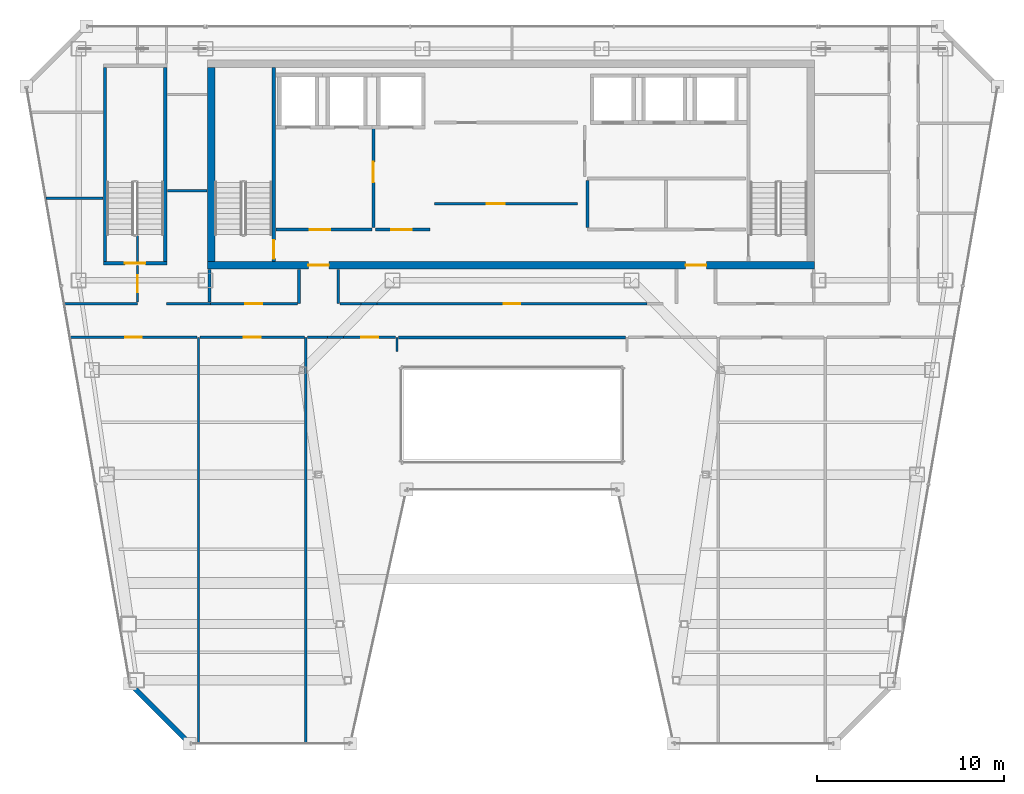
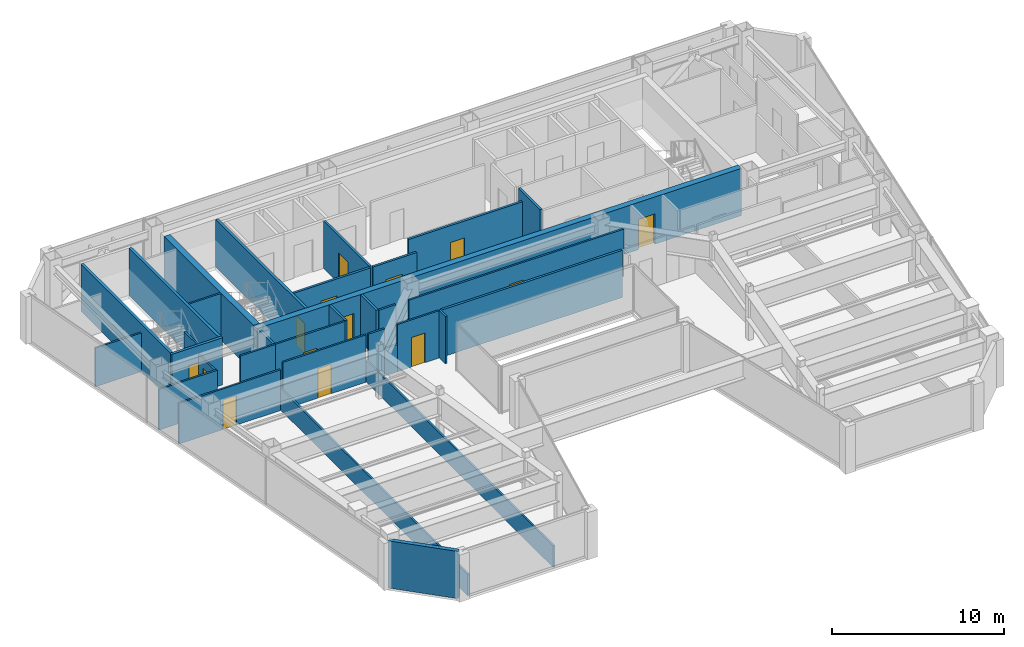
# One storey, part 28 of 35: 34 walls, 14 doors, 14 openings.
"""IFC4 building model written with IfcOpenShell, lengths in metres."""

from ifc_helpers import new_model, si_unit, direction, frame, frame_2d, origin, place, context, subcontext, project, spatial, rectangle, extrude, material, layer, layer_set, type_object, element, fill, save


model = new_model("IFC4")

# Units and contexts
model_context = context("Model", 3, precision=1e-05, world=origin(), true_north=direction((0.0, 1.0)))
body_context = subcontext(model_context, "Body", "Model", "MODEL_VIEW")
ifc_project = project(units=[si_unit("LENGTHUNIT", "METRE"), si_unit("AREAUNIT", "SQUARE_METRE"), si_unit("VOLUMEUNIT", "CUBIC_METRE"), si_unit("PLANEANGLEUNIT", "RADIAN"), si_unit("MASSUNIT", "GRAM", prefix="KILO")], contexts=[model_context])

# Site, building, storey
site_placement = place(None, origin())
site = spatial("IfcSite", under=ifc_project, at=site_placement, CompositionType="ELEMENT")
building_placement = place(site_placement, origin())
building = spatial("IfcBuilding", under=site, at=building_placement, Name="Saevonmaru Cultural Tower", CompositionType="ELEMENT")
storey_placement = place(building_placement, frame((0.0, 0.0, 249.60009765625)))
storey = spatial("IfcBuildingStorey", under=building, at=storey_placement, Name="L58", CompositionType="ELEMENT", Elevation=249.60009765625)

# Wall, openings, doors
ifc_material_1 = material(Name="Concrete C50/60", Category="concrete")
ifc_layer_1 = layer(ifc_material_1, 0.39990234375, Name="Concrete C50/60")
ifc_layer_set_1 = layer_set([ifc_layer_1], Name="Concrete C50/60")
wall_type_1 = type_object("IfcWallType", Name="WL-CORE-400", PredefinedType="SHEAR", material=ifc_layer_set_1)
wall_1_placement = place(storey_placement, frame((13.699951171875, 43.199951171875, 0.0), z_axis=(0.0, 0.0, 1.0), x_axis=(1.0, 0.0, 0.0)))
wall_1 = element("IfcWall", 1, at=wall_1_placement, inside=storey, type_object=wall_type_1, Name="L58 Tower RC core shear wall S", PredefinedType="SHEAR", context=body_context, shape_type="SweptSolid", body=[
    extrude(rectangle(XDim=32.5, YDim=0.39990234375, at=frame_2d((16.25, 0.0))), origin(), (0.0, 0.0, 1.0), 3.349853515625),
])
opening_1_placement = place(wall_1_placement, frame((5.39990234375, 0.0, 0.0)))
opening_1 = element("IfcOpeningElement", 2, at=opening_1_placement, cuts=wall_1, Name="Opening FD-2", PredefinedType="OPENING", context=body_context, shape_type="SweptSolid", body=[
    extrude(rectangle(XDim=1.10009765625, YDim=2.14990234375, at=frame_2d((0.550048828125, 1.074951171875))), frame((0.0, 0.2099609375, 0.0), z_axis=(0.0, -1.0, 0.0), x_axis=(1.0, 0.0, 0.0)), (0.0, 0.0, 1.0), 0.419921875),
])
opening_2_placement = place(wall_1_placement, frame((25.60009765625, 0.0, 0.0)))
opening_2 = element("IfcOpeningElement", 3, at=opening_2_placement, cuts=wall_1, Name="Opening FD-2", PredefinedType="OPENING", context=body_context, shape_type="SweptSolid", body=[
    extrude(rectangle(XDim=1.10009765625, YDim=2.14990234375, at=frame_2d((0.550048828125, 1.074951171875))), frame((0.0, 0.2099609375, 0.0), z_axis=(0.0, -1.0, 0.0), x_axis=(1.0, 0.0, 0.0)), (0.0, 0.0, 1.0), 0.419921875),
])
ifc_material_2 = material(Name="Satin Bronze Anodised Aluminium", Category="aluminium")
door_type_1 = type_object("IfcDoorType", Name="DR-FD60-1100", OperationType="SINGLE_SWING_LEFT", PredefinedType="DOOR", material=ifc_material_2)
door_1_placement = place(opening_1_placement, origin())
door_1 = element("IfcDoor", 4, at=door_1_placement, inside=storey, type_object=door_type_1, Name="L58 Core West Lobby Fire Door", OperationType="SINGLE_SWING_LEFT", OverallHeight=2.14990234375, OverallWidth=1.10009765625, PredefinedType="DOOR", context=body_context, shape_type="SweptSolid", body=[
    extrude(rectangle(XDim=1.10009765625, YDim=2.14990234375, at=frame_2d((0.550048828125, 1.074951171875))), frame((0.0, 0.02490234375, 0.0), z_axis=(0.0, -1.0, 0.0), x_axis=(1.0, 0.0, 0.0)), (0.0, 0.0, 1.0), 0.050048828125),
])
fill(opening_1, door_1)
door_2_placement = place(opening_2_placement, origin())
door_2 = element("IfcDoor", 5, at=door_2_placement, inside=storey, type_object=door_type_1, Name="L58 Core East Lobby Fire Door", OperationType="SINGLE_SWING_LEFT", OverallHeight=2.14990234375, OverallWidth=1.10009765625, PredefinedType="DOOR", context=body_context, shape_type="SweptSolid", body=[
    extrude(rectangle(XDim=1.10009765625, YDim=2.14990234375, at=frame_2d((0.550048828125, 1.074951171875))), frame((0.0, 0.02490234375, 0.0), z_axis=(0.0, -1.0, 0.0), x_axis=(1.0, 0.0, 0.0)), (0.0, 0.0, 1.0), 0.050048828125),
])
fill(opening_2, door_2)

# Wall
wall_2_placement = place(storey_placement, frame((13.89990234375, 43.39990234375, 0.0), z_axis=(0.0, 0.0, 1.0), x_axis=(0.0, 1.0, 0.0)))
element("IfcWall", 6, at=wall_2_placement, inside=storey, type_object=wall_type_1, Name="L58 Tower RC core shear wall W", PredefinedType="SHEAR", context=body_context, shape_type="SweptSolid", body=[
    extrude(rectangle(XDim=10.400146484375, YDim=0.39990234375, at=frame_2d((5.2001953125, 0.0))), origin(), (0.0, 0.0, 1.0), 3.349853515625),
])

# Wall, opening, door
ifc_material_3 = material(Name="Gypsum Fireboard Partition", Category="gypsum")
ifc_layer_2 = layer(ifc_material_3, 0.14990234375, Name="Gypsum Fireboard Partition")
ifc_layer_set_2 = layer_set([ifc_layer_2], Name="Gypsum Fireboard Partition")
wall_type_2 = type_object("IfcWallType", Name="WL-CORE-PART-150", PredefinedType="PARTITIONING", material=ifc_layer_set_2)
wall_3_placement = place(storey_placement, frame((17.360107421875, 45.1201171875, 0.0), z_axis=(0.0, 0.0, 1.0), x_axis=(1.0, 0.0, 0.0)))
wall_3 = element("IfcWall", 7, at=wall_3_placement, inside=storey, type_object=wall_type_2, Name="L58 Firefighting Lift Lobby South Wall", PredefinedType="PARTITIONING", context=body_context, shape_type="SweptSolid", body=[
    extrude(rectangle(XDim=5.139892578125, YDim=0.14990234375, at=frame_2d((2.56982421875, 0.0))), origin(), (0.0, 0.0, 1.0), 3.349853515625),
])
opening_3_placement = place(wall_3_placement, frame((1.800048828125, 0.0, 0.0)))
opening_3 = element("IfcOpeningElement", 8, at=opening_3_placement, cuts=wall_3, Name="Opening FD-2", PredefinedType="OPENING", context=body_context, shape_type="SweptSolid", body=[
    extrude(rectangle(XDim=1.10009765625, YDim=2.14990234375, at=frame_2d((0.550048828125, 1.074951171875))), frame((0.0, 0.0849609375, 0.0), z_axis=(0.0, -1.0, 0.0), x_axis=(1.0, 0.0, 0.0)), (0.0, 0.0, 1.0), 0.169921875),
])
door_3_placement = place(opening_3_placement, origin())
door_3 = element("IfcDoor", 9, at=door_3_placement, inside=storey, type_object=door_type_1, Name="L58 Firefighting Lift Lobby South Door", OperationType="SINGLE_SWING_LEFT", OverallHeight=2.14990234375, OverallWidth=1.10009765625, PredefinedType="DOOR", context=body_context, shape_type="SweptSolid", body=[
    extrude(rectangle(XDim=1.10009765625, YDim=2.14990234375, at=frame_2d((0.550048828125, 1.074951171875))), frame((0.0, 0.02490234375, 0.0), z_axis=(0.0, -1.0, 0.0), x_axis=(1.0, 0.0, 0.0)), (0.0, 0.0, 1.0), 0.050048828125),
])
fill(opening_3, door_3)

wall_4_placement = place(storey_placement, frame((22.580078125, 50.550048828125, 0.0), z_axis=(0.0, 0.0, 1.0), x_axis=(0.0, -1.0, 0.0)))
wall_4 = element("IfcWall", 10, at=wall_4_placement, inside=storey, type_object=wall_type_2, Name="L58 Firefighting Lift Lobby East Wall", PredefinedType="PARTITIONING", context=body_context, shape_type="SweptSolid", body=[
    extrude(rectangle(XDim=5.330078125, YDim=0.14990234375, at=frame_2d((2.6650390625, 0.0))), origin(), (0.0, 0.0, 1.0), 3.349853515625),
])
opening_4_placement = place(wall_4_placement, frame((1.800048828125, 0.0, 0.0)))
opening_4 = element("IfcOpeningElement", 11, at=opening_4_placement, cuts=wall_4, Name="Opening FD-2", PredefinedType="OPENING", context=body_context, shape_type="SweptSolid", body=[
    extrude(rectangle(XDim=1.10009765625, YDim=2.14990234375, at=frame_2d((0.550048828125, 1.074951171875))), frame((0.0, 0.0849609375, 0.0), z_axis=(0.0, -1.0, 0.0), x_axis=(1.0, 0.0, 0.0)), (0.0, 0.0, 1.0), 0.169921875),
])
door_4_placement = place(opening_4_placement, origin())
door_4 = element("IfcDoor", 12, at=door_4_placement, inside=storey, type_object=door_type_1, Name="L58 Firefighting Lift Lobby East Door", OperationType="SINGLE_SWING_LEFT", OverallHeight=2.14990234375, OverallWidth=1.10009765625, PredefinedType="DOOR", context=body_context, shape_type="SweptSolid", body=[
    extrude(rectangle(XDim=1.10009765625, YDim=2.14990234375, at=frame_2d((0.550048828125, 1.074951171875))), frame((0.0, 0.02490234375, 0.0), z_axis=(0.0, -1.0, 0.0), x_axis=(1.0, 0.0, 0.0)), (0.0, 0.0, 1.0), 0.050048828125),
])
fill(opening_4, door_4)

wall_5_placement = place(storey_placement, frame((22.679931640625, 45.1201171875, 0.0), z_axis=(0.0, 0.0, 1.0), x_axis=(1.0, 0.0, 0.0)))
wall_5 = element("IfcWall", 13, at=wall_5_placement, inside=storey, type_object=wall_type_2, Name="L58 Service Lift Vestibule Wall", PredefinedType="PARTITIONING", context=body_context, shape_type="SweptSolid", body=[
    extrude(rectangle(XDim=2.920166015625, YDim=0.14990234375, at=frame_2d((1.4599609375, 0.0))), origin(), (0.0, 0.0, 1.0), 3.349853515625),
])
opening_5_placement = place(wall_5_placement, frame((0.85009765625, 0.0, 0.0)))
opening_5 = element("IfcOpeningElement", 14, at=opening_5_placement, cuts=wall_5, Name="Opening FD-2", PredefinedType="OPENING", context=body_context, shape_type="SweptSolid", body=[
    extrude(rectangle(XDim=1.10009765625, YDim=2.14990234375, at=frame_2d((0.550048828125, 1.074951171875))), frame((0.0, 0.0849609375, 0.0), z_axis=(0.0, -1.0, 0.0), x_axis=(1.0, 0.0, 0.0)), (0.0, 0.0, 1.0), 0.169921875),
])
door_5_placement = place(opening_5_placement, origin())
door_5 = element("IfcDoor", 15, at=door_5_placement, inside=storey, type_object=door_type_1, Name="L58 Service Lift Vestibule Door", OperationType="SINGLE_SWING_LEFT", OverallHeight=2.14990234375, OverallWidth=1.10009765625, PredefinedType="DOOR", context=body_context, shape_type="SweptSolid", body=[
    extrude(rectangle(XDim=1.10009765625, YDim=2.14990234375, at=frame_2d((0.550048828125, 1.074951171875))), frame((0.0, 0.02490234375, 0.0), z_axis=(0.0, -1.0, 0.0), x_axis=(1.0, 0.0, 0.0)), (0.0, 0.0, 1.0), 0.050048828125),
])
fill(opening_5, door_5)

# Wall
wall_6_placement = place(storey_placement, frame((34.050048828125, 45.219970703125, 0.0), z_axis=(0.0, 0.0, 1.0), x_axis=(0.0, 1.0, 0.0)))
element("IfcWall", 16, at=wall_6_placement, inside=storey, type_object=wall_type_2, Name="L58 Core Plant West Wall", PredefinedType="PARTITIONING", context=body_context, shape_type="SweptSolid", body=[
    extrude(rectangle(XDim=2.530029296875, YDim=0.14990234375, at=frame_2d((1.26513671875, 0.0))), origin(), (0.0, 0.0, 1.0), 3.349853515625),
])

# Wall, opening, door
wall_7_placement = place(storey_placement, frame((25.85009765625, 46.5, 0.0), z_axis=(0.0, 0.0, 1.0), x_axis=(1.0, 0.0, 0.0)))
wall_7 = element("IfcWall", 17, at=wall_7_placement, inside=storey, type_object=wall_type_2, Name="L58 Reclaimed Mid-Shaft Wall", PredefinedType="PARTITIONING", context=body_context, shape_type="SweptSolid", body=[
    extrude(rectangle(XDim=7.64990234375, YDim=0.14990234375, at=frame_2d((3.824951171875, 0.0))), origin(), (0.0, 0.0, 1.0), 3.349853515625),
])
opening_6_placement = place(wall_7_placement, frame((2.800048828125, 0.0, 0.0)))
opening_6 = element("IfcOpeningElement", 18, at=opening_6_placement, cuts=wall_7, Name="Opening FD-4", PredefinedType="OPENING", context=body_context, shape_type="SweptSolid", body=[
    extrude(rectangle(XDim=0.949951171875, YDim=2.14990234375, at=frame_2d((0.47509765625, 1.074951171875))), frame((0.0, 0.0849609375, 0.0), z_axis=(0.0, -1.0, 0.0), x_axis=(1.0, 0.0, 0.0)), (0.0, 0.0, 1.0), 0.169921875),
])
door_type_2 = type_object("IfcDoorType", Name="DR-FD60-950", OperationType="SINGLE_SWING_LEFT", PredefinedType="DOOR", material=ifc_material_2)
door_6_placement = place(opening_6_placement, origin())
door_6 = element("IfcDoor", 19, at=door_6_placement, inside=storey, type_object=door_type_2, Name="L58 Reclaimed Manuscript Storage Door", OperationType="SINGLE_SWING_LEFT", OverallHeight=2.14990234375, OverallWidth=0.949951171875, PredefinedType="DOOR", context=body_context, shape_type="SweptSolid", body=[
    extrude(rectangle(XDim=0.949951171875, YDim=2.14990234375, at=frame_2d((0.47509765625, 1.074951171875))), frame((0.0, 0.02490234375, 0.0), z_axis=(0.0, -1.0, 0.0), x_axis=(1.0, 0.0, 0.0)), (0.0, 0.0, 1.0), 0.050048828125),
])
fill(opening_6, door_6)

# Walls
ifc_material_4 = material(Name="Granite-Clad Precast Concrete C40/50", Category="masonry")
ifc_layer_3 = layer(ifc_material_4, 0.260009765625, Name="Granite-Clad Precast Concrete C40/50")
ifc_layer_set_3 = layer_set([ifc_layer_3], Name="Granite-Clad Precast Concrete C40/50")
wall_type_3 = type_object("IfcWallType", Name="WL-EXT-SPANDREL-260", PredefinedType="STANDARD", material=ifc_layer_set_3)
wall_8_placement = place(storey_placement, frame((9.659912109375, 20.68701171875, 0.0), z_axis=(0.0, 0.0, 1.0), x_axis=(0.70707775441, -0.707135806771, 0.0)))
element("IfcWall", 20, at=wall_8_placement, inside=storey, type_object=wall_type_3, Name="L58 Chamfer Corner Spandrel Wall E1", PredefinedType="STANDARD", context=body_context, shape_type="SweptSolid", body=[
    extrude(rectangle(XDim=4.20556640625, YDim=0.260009765625, at=frame_2d((2.102783203125, 0.0))), origin(), (0.0, 0.0, 1.0), 3.349853515625),
])
ifc_layer_4 = layer(ifc_material_3, 0.14990234375, Name="Gypsum Fireboard Partition")
ifc_layer_set_4 = layer_set([ifc_layer_4], Name="Gypsum Fireboard Partition")
wall_type_4 = type_object("IfcWallType", Name="WL-PART-FIRE-150", PredefinedType="PARTITIONING", material=ifc_layer_set_4)
wall_9_placement = place(storey_placement, frame((13.800048828125, 41.22998046875, 0.0), z_axis=(0.0, 0.0, 1.0), x_axis=(0.0, 1.0, 0.0)))
element("IfcWall", 21, at=wall_9_placement, inside=storey, type_object=wall_type_4, Name="L58 Core Portal Side Wall W0", PredefinedType="PARTITIONING", context=body_context, shape_type="SweptSolid", body=[
    extrude(rectangle(XDim=1.75, YDim=0.14990234375, at=frame_2d((0.875, 0.0))), origin(), (0.0, 0.0, 1.0), 3.349853515625),
])
for number, where, z_axis, x_axis, name in (
    (22, (18.60009765625, 41.14990234375, 0.0), (0.0, 0.0, 1.0), (0.0, 1.0, 0.0), "L58 Core Portal Side Wall W1"),
    (23, (20.699951171875, 41.14990234375, 0.0), (0.0, 0.0, 1.0), (0.0, 1.0, 0.0), "L58 Core Portal Side Wall W2"),
):
    element("IfcWall", number, at=place(storey_placement, frame(where, z_axis=z_axis, x_axis=x_axis)), inside=storey, type_object=wall_type_4, Name=name, PredefinedType="PARTITIONING", context=body_context, shape_type="SweptSolid", body=[
        extrude(rectangle(XDim=1.830078125, YDim=0.14990234375, at=frame_2d((0.9150390625, 0.0))), origin(), (0.0, 0.0, 1.0), 3.349853515625),
    ])
wall_10_placement = place(storey_placement, frame((23.929931640625, 39.35009765625, 0.0), z_axis=(0.0, 0.0, 1.0), x_axis=(1.0, 0.0, 0.0)))
element("IfcWall", 24, at=wall_10_placement, inside=storey, type_object=wall_type_4, Name="L58 North Atrium Corridor Wall", PredefinedType="PARTITIONING", context=body_context, shape_type="SweptSolid", body=[
    extrude(rectangle(XDim=12.14013671875, YDim=0.14990234375, at=frame_2d((6.070068359375, 0.0))), origin(), (0.0, 0.0, 1.0), 3.349853515625),
])
ifc_layer_5 = layer(ifc_material_3, 0.1201171875, Name="Gypsum Fireboard Partition")
ifc_layer_set_5 = layer_set([ifc_layer_5], Name="Gypsum Fireboard Partition")
wall_type_5 = type_object("IfcWallType", Name="WL-PART-GYP-120", PredefinedType="PARTITIONING", material=ifc_layer_set_5)
wall_11_placement = place(storey_placement, frame((6.0244140625, 41.14990234375, 0.0), z_axis=(0.0, 0.0, 1.0), x_axis=(1.0, 0.0, 0.0)))
element("IfcWall", 25, at=wall_11_placement, inside=storey, type_object=wall_type_5, Name="L58 NW Wing South Wall", PredefinedType="PARTITIONING", context=body_context, shape_type="SweptSolid", body=[
    extrude(rectangle(XDim=3.925537109375, YDim=0.1201171875, at=frame_2d((1.962890625, 0.0))), origin(), (0.0, 0.0, 1.0), 2.885009765625),
])
wall_12_placement = place(storey_placement, frame((11.5, 41.14990234375, 0.0), z_axis=(0.0, 0.0, 1.0), x_axis=(1.0, 0.0, 0.0)))
element("IfcWall", 26, at=wall_12_placement, inside=storey, type_object=wall_type_5, Name="L58 NW Inner South Wall", PredefinedType="PARTITIONING", context=body_context, shape_type="SweptSolid", body=[
    extrude(rectangle(XDim=2.35009765625, YDim=0.1201171875, at=frame_2d((1.175048828125, 0.0))), origin(), (0.0, 0.0, 1.0), 3.349853515625),
])
wall_13_placement = place(storey_placement, frame((5.045166015625, 46.800048828125, 0.0), z_axis=(0.0, 0.0, 1.0), x_axis=(1.0, 0.0, 0.0)))
element("IfcWall", 27, at=wall_13_placement, inside=storey, type_object=wall_type_5, Name="L58 NW Studio Divider 1", PredefinedType="PARTITIONING", context=body_context, shape_type="SweptSolid", body=[
    extrude(rectangle(XDim=3.054931640625, YDim=0.1201171875, at=frame_2d((1.52734375, 0.0))), origin(), (0.0, 0.0, 1.0), 2.746826171875),
])

# Wall, opening, door
wall_14_placement = place(storey_placement, frame((9.949951171875, 41.22998046875, 0.0), z_axis=(0.0, 0.0, 1.0), x_axis=(0.0, 1.0, 0.0)))
wall_14 = element("IfcWall", 28, at=wall_14_placement, inside=storey, type_object=wall_type_5, Name="L58 Urban Design Meeting Room Corridor Wall", PredefinedType="PARTITIONING", context=body_context, shape_type="SweptSolid", body=[
    extrude(rectangle(XDim=1.969970703125, YDim=0.1201171875, at=frame_2d((0.98486328125, 0.0))), origin(), (0.0, 0.0, 1.0), 2.746826171875),
])
opening_7_placement = place(wall_14_placement, frame((0.534912109375, 0.0, 0.0)))
opening_7 = element("IfcOpeningElement", 29, at=opening_7_placement, cuts=wall_14, Name="Opening ID-2", PredefinedType="OPENING", context=body_context, shape_type="SweptSolid", body=[
    extrude(rectangle(XDim=0.89990234375, YDim=2.10009765625, at=frame_2d((0.449951171875, 1.050048828125))), frame((0.0, 0.070068359375, 0.0), z_axis=(0.0, -1.0, 0.0), x_axis=(1.0, 0.0, 0.0)), (0.0, 0.0, 1.0), 0.14013671875),
])
ifc_material_5 = material(Name="Acoustic Stained Oak Timber", Category="wood")
door_type_3 = type_object("IfcDoorType", Name="DR-INT-900", OperationType="SINGLE_SWING_RIGHT", PredefinedType="DOOR", material=ifc_material_5)
door_7_placement = place(opening_7_placement, origin())
door_7 = element("IfcDoor", 30, at=door_7_placement, inside=storey, type_object=door_type_3, Name="L58 Urban Design Meeting Room Door", OperationType="SINGLE_SWING_LEFT", OverallHeight=2.10009765625, OverallWidth=0.89990234375, PredefinedType="DOOR", context=body_context, shape_type="SweptSolid", body=[
    extrude(rectangle(XDim=0.89990234375, YDim=2.10009765625, at=frame_2d((0.449951171875, 1.050048828125))), frame((0.0, 0.02490234375, 0.0), z_axis=(0.0, -1.0, 0.0), x_axis=(1.0, 0.0, 0.0)), (0.0, 0.0, 1.0), 0.050048828125),
])
fill(opening_7, door_7)

# Walls
wall_15_placement = place(storey_placement, frame((9.949951171875, 43.419921875, 0.0), z_axis=(0.0, 0.0, 1.0), x_axis=(0.0, 1.0, 0.0)))
element("IfcWall", 31, at=wall_15_placement, inside=storey, type_object=wall_type_5, Name="L58 Urban Design Meeting Room Corridor Wall (2)", PredefinedType="PARTITIONING", context=body_context, shape_type="SweptSolid", body=[
    extrude(rectangle(XDim=1.4501953125, YDim=0.1201171875, at=frame_2d((0.72509765625, 0.0))), origin(), (0.0, 0.0, 1.0), 3.349853515625),
])
wall_16_placement = place(storey_placement, frame((11.550048828125, 47.199951171875, 0.0), z_axis=(0.0, 0.0, 1.0), x_axis=(1.0, 0.0, 0.0)))
element("IfcWall", 32, at=wall_16_placement, inside=storey, type_object=wall_type_5, Name="L58 NW Inner Divider", PredefinedType="PARTITIONING", context=body_context, shape_type="SweptSolid", body=[
    extrude(rectangle(XDim=2.1298828125, YDim=0.1201171875, at=frame_2d((1.06494140625, 0.0))), origin(), (0.0, 0.0, 1.0), 3.349853515625),
])

# Wall, opening, door
wall_17_placement = place(storey_placement, frame((13.85009765625, 41.14990234375, 0.0), z_axis=(0.0, 0.0, 1.0), x_axis=(1.0, 0.0, 0.0)))
wall_17 = element("IfcWall", 33, at=wall_17_placement, inside=storey, type_object=wall_type_5, Name="L58 Urban Design Meeting Room Corridor Wall", PredefinedType="PARTITIONING", context=body_context, shape_type="SweptSolid", body=[
    extrude(rectangle(XDim=4.65478515625, YDim=0.1201171875, at=frame_2d((2.327392578125, 0.0))), origin(), (0.0, 0.0, 1.0), 3.349853515625),
])
opening_8_placement = place(wall_17_placement, frame((1.876953125, 0.0, 0.0)))
opening_8 = element("IfcOpeningElement", 34, at=opening_8_placement, cuts=wall_17, Name="Opening ID-2", PredefinedType="OPENING", context=body_context, shape_type="SweptSolid", body=[
    extrude(rectangle(XDim=0.89990234375, YDim=2.10009765625, at=frame_2d((0.449951171875, 1.050048828125))), frame((0.0, 0.070068359375, 0.0), z_axis=(0.0, -1.0, 0.0), x_axis=(1.0, 0.0, 0.0)), (0.0, 0.0, 1.0), 0.14013671875),
])
door_8_placement = place(opening_8_placement, origin())
door_8 = element("IfcDoor", 35, at=door_8_placement, inside=storey, type_object=door_type_3, Name="L58 Urban Design Meeting Room Door", OperationType="SINGLE_SWING_LEFT", OverallHeight=2.10009765625, OverallWidth=0.89990234375, PredefinedType="DOOR", context=body_context, shape_type="SweptSolid", body=[
    extrude(rectangle(XDim=0.89990234375, YDim=2.10009765625, at=frame_2d((0.449951171875, 1.050048828125))), frame((0.0, 0.02490234375, 0.0), z_axis=(0.0, -1.0, 0.0), x_axis=(1.0, 0.0, 0.0)), (0.0, 0.0, 1.0), 0.050048828125),
])
fill(opening_8, door_8)

wall_18_placement = place(storey_placement, frame((22.783203125, 41.14990234375, 0.0), z_axis=(0.0, 0.0, 1.0), x_axis=(1.0, 0.0, 0.0)))
wall_18 = element("IfcWall", 36, at=wall_18_placement, inside=storey, type_object=wall_type_5, Name="L58 Curatorial Board Meeting Room Corridor Wall", PredefinedType="PARTITIONING", context=body_context, shape_type="SweptSolid", body=[
    extrude(rectangle(XDim=14.43359375, YDim=0.1201171875, at=frame_2d((7.216796875, 0.0))), origin(), (0.0, 0.0, 1.0), 3.349853515625),
])
opening_9_placement = place(wall_18_placement, frame((6.76708984375, 0.0, 0.0)))
opening_9 = element("IfcOpeningElement", 37, at=opening_9_placement, cuts=wall_18, Name="Opening ID-2", PredefinedType="OPENING", context=body_context, shape_type="SweptSolid", body=[
    extrude(rectangle(XDim=0.89990234375, YDim=2.10009765625, at=frame_2d((0.449951171875, 1.050048828125))), frame((0.0, 0.070068359375, 0.0), z_axis=(0.0, -1.0, 0.0), x_axis=(1.0, 0.0, 0.0)), (0.0, 0.0, 1.0), 0.14013671875),
])
door_9_placement = place(opening_9_placement, origin())
door_9 = element("IfcDoor", 38, at=door_9_placement, inside=storey, type_object=door_type_3, Name="L58 Curatorial Board Meeting Room Door", OperationType="SINGLE_SWING_RIGHT", OverallHeight=2.10009765625, OverallWidth=0.89990234375, PredefinedType="DOOR", context=body_context, shape_type="SweptSolid", body=[
    extrude(rectangle(XDim=0.89990234375, YDim=2.10009765625, at=frame_2d((0.449951171875, 1.050048828125))), frame((0.0, 0.02490234375, 0.0), z_axis=(0.0, -1.0, 0.0), x_axis=(1.0, 0.0, 0.0)), (0.0, 0.0, 1.0), 0.050048828125),
])
fill(opening_9, door_9)

# Walls
wall_19_placement = place(storey_placement, frame((20.794921875, 41.14990234375, 0.0), z_axis=(0.0, 0.0, 1.0), x_axis=(1.0, 0.0, 0.0)))
element("IfcWall", 39, at=wall_19_placement, inside=storey, type_object=wall_type_5, Name="L58 Curatorial Board Meeting Room Corridor Wall (2)", PredefinedType="PARTITIONING", context=body_context, shape_type="SweptSolid", body=[
    extrude(rectangle(XDim=1.126220703125, YDim=0.1201171875, at=frame_2d((0.56298828125, 0.0))), origin(), (0.0, 0.0, 1.0), 3.349853515625),
])
wall_20_placement = place(storey_placement, frame((21.921142578125, 41.14990234375, 0.0), z_axis=(0.0, 0.0, 1.0), x_axis=(1.0, 0.0, 0.0)))
element("IfcWall", 40, at=wall_20_placement, inside=storey, type_object=wall_type_5, Name="L58 Curatorial Board Meeting Room Corridor Wall (3)", PredefinedType="PARTITIONING", context=body_context, shape_type="SweptSolid", body=[
    extrude(rectangle(XDim=0.862060546875, YDim=0.1201171875, at=frame_2d((0.43115234375, 0.0))), origin(), (0.0, 0.0, 1.0), 1.934814453125),
])
for number, where, z_axis, x_axis, name in (
    (41, (13.219970703125, 17.60498046875, 0.0), (0.0, 0.0, 1.0), (0.0, 1.0, 0.0), "L58 West Bay Divider 1"),
    (42, (18.9599609375, 17.60498046875, 0.0), (0.0, 0.0, 1.0), (0.0, 1.0, 0.0), "L58 West Bay Divider 2"),
):
    element("IfcWall", number, at=place(storey_placement, frame(where, z_axis=z_axis, x_axis=x_axis)), inside=storey, type_object=wall_type_5, Name=name, PredefinedType="PARTITIONING", context=body_context, shape_type="SweptSolid", body=[
        extrude(rectangle(XDim=21.7451171875, YDim=0.1201171875, at=frame_2d((10.87255859375, 0.0))), origin(), (0.0, 0.0, 1.0), 1.534912109375),
    ])
wall_21_placement = place(storey_placement, frame((23.85009765625, 38.60009765625, 0.0), z_axis=(0.0, 0.0, 1.0), x_axis=(0.0, 1.0, 0.0)))
element("IfcWall", 43, at=wall_21_placement, inside=storey, type_object=wall_type_5, Name="L58 North Atrium West Wall", PredefinedType="PARTITIONING", context=body_context, shape_type="SweptSolid", body=[
    extrude(rectangle(XDim=0.75, YDim=0.1201171875, at=frame_2d((0.375, 0.0))), origin(), (0.0, 0.0, 1.0), 3.349853515625),
])

# Wall, opening, door
wall_22_placement = place(storey_placement, frame((6.33642578125, 39.35009765625, 0.0), z_axis=(0.0, 0.0, 1.0), x_axis=(1.0, 0.0, 0.0)))
wall_22 = element("IfcWall", 44, at=wall_22_placement, inside=storey, type_object=wall_type_5, Name="L58 Urban Design Meeting Room Corridor Wall", PredefinedType="PARTITIONING", context=body_context, shape_type="SweptSolid", body=[
    extrude(rectangle(XDim=6.803466796875, YDim=0.1201171875, at=frame_2d((3.40185546875, 0.0))), origin(), (0.0, 0.0, 1.0), 2.885009765625),
])
opening_10_placement = place(wall_22_placement, frame((2.951904296875, 0.0, 0.0)))
opening_10 = element("IfcOpeningElement", 45, at=opening_10_placement, cuts=wall_22, Name="Opening ID-2", PredefinedType="OPENING", context=body_context, shape_type="SweptSolid", body=[
    extrude(rectangle(XDim=0.89990234375, YDim=2.10009765625, at=frame_2d((0.449951171875, 1.050048828125))), frame((0.0, 0.070068359375, 0.0), z_axis=(0.0, -1.0, 0.0), x_axis=(1.0, 0.0, 0.0)), (0.0, 0.0, 1.0), 0.14013671875),
])
door_10_placement = place(opening_10_placement, origin())
door_10 = element("IfcDoor", 46, at=door_10_placement, inside=storey, type_object=door_type_3, Name="L58 Urban Design Meeting Room Door", OperationType="SINGLE_SWING_RIGHT", OverallHeight=2.10009765625, OverallWidth=0.89990234375, PredefinedType="DOOR", context=body_context, shape_type="SweptSolid", body=[
    extrude(rectangle(XDim=0.89990234375, YDim=2.10009765625, at=frame_2d((0.449951171875, 1.050048828125))), frame((0.0, 0.02490234375, 0.0), z_axis=(0.0, -1.0, 0.0), x_axis=(1.0, 0.0, 0.0)), (0.0, 0.0, 1.0), 0.050048828125),
])
fill(opening_10, door_10)

wall_23_placement = place(storey_placement, frame((13.300048828125, 39.35009765625, 0.0), z_axis=(0.0, 0.0, 1.0), x_axis=(1.0, 0.0, 0.0)))
wall_23 = element("IfcWall", 47, at=wall_23_placement, inside=storey, type_object=wall_type_5, Name="L58 Curatorial Board Meeting Room Corridor Wall", PredefinedType="PARTITIONING", context=body_context, shape_type="SweptSolid", body=[
    extrude(rectangle(XDim=5.579833984375, YDim=0.1201171875, at=frame_2d((2.7900390625, 0.0))), origin(), (0.0, 0.0, 1.0), 3.349853515625),
])
opening_11_placement = place(wall_23_placement, frame((2.340087890625, 0.0, 0.0)))
opening_11 = element("IfcOpeningElement", 48, at=opening_11_placement, cuts=wall_23, Name="Opening ID-2", PredefinedType="OPENING", context=body_context, shape_type="SweptSolid", body=[
    extrude(rectangle(XDim=0.89990234375, YDim=2.10009765625, at=frame_2d((0.449951171875, 1.050048828125))), frame((0.0, 0.070068359375, 0.0), z_axis=(0.0, -1.0, 0.0), x_axis=(1.0, 0.0, 0.0)), (0.0, 0.0, 1.0), 0.14013671875),
])
door_11_placement = place(opening_11_placement, origin())
door_11 = element("IfcDoor", 49, at=door_11_placement, inside=storey, type_object=door_type_3, Name="L58 Curatorial Board Meeting Room Door", OperationType="SINGLE_SWING_LEFT", OverallHeight=2.10009765625, OverallWidth=0.89990234375, PredefinedType="DOOR", context=body_context, shape_type="SweptSolid", body=[
    extrude(rectangle(XDim=0.89990234375, YDim=2.10009765625, at=frame_2d((0.449951171875, 1.050048828125))), frame((0.0, 0.02490234375, 0.0), z_axis=(0.0, -1.0, 0.0), x_axis=(1.0, 0.0, 0.0)), (0.0, 0.0, 1.0), 0.050048828125),
])
fill(opening_11, door_11)

wall_24_placement = place(storey_placement, frame((20.986083984375, 39.35009765625, 0.0), z_axis=(0.0, 0.0, 1.0), x_axis=(1.0, 0.0, 0.0)))
wall_24 = element("IfcWall", 50, at=wall_24_placement, inside=storey, type_object=wall_type_5, Name="L58 Literature Seminar Meeting Room Corridor Wall", PredefinedType="PARTITIONING", context=body_context, shape_type="SweptSolid", body=[
    extrude(rectangle(XDim=2.783935546875, YDim=0.1201171875, at=frame_2d((1.39208984375, 0.0))), origin(), (0.0, 0.0, 1.0), 3.349853515625),
])
opening_12_placement = place(wall_24_placement, frame((0.94189453125, 0.0, 0.0)))
opening_12 = element("IfcOpeningElement", 51, at=opening_12_placement, cuts=wall_24, Name="Opening ID-2", PredefinedType="OPENING", context=body_context, shape_type="SweptSolid", body=[
    extrude(rectangle(XDim=0.89990234375, YDim=2.10009765625, at=frame_2d((0.449951171875, 1.050048828125))), frame((0.0, 0.070068359375, 0.0), z_axis=(0.0, -1.0, 0.0), x_axis=(1.0, 0.0, 0.0)), (0.0, 0.0, 1.0), 0.14013671875),
])
door_12_placement = place(opening_12_placement, origin())
door_12 = element("IfcDoor", 52, at=door_12_placement, inside=storey, type_object=door_type_3, Name="L58 Literature Seminar Meeting Room Door", OperationType="SINGLE_SWING_RIGHT", OverallHeight=2.10009765625, OverallWidth=0.89990234375, PredefinedType="DOOR", context=body_context, shape_type="SweptSolid", body=[
    extrude(rectangle(XDim=0.89990234375, YDim=2.10009765625, at=frame_2d((0.449951171875, 1.050048828125))), frame((0.0, 0.02490234375, 0.0), z_axis=(0.0, -1.0, 0.0), x_axis=(1.0, 0.0, 0.0)), (0.0, 0.0, 1.0), 0.050048828125),
])
fill(opening_12, door_12)

# Walls
wall_25_placement = place(storey_placement, frame((19.0400390625, 39.35009765625, 0.0), z_axis=(0.0, 0.0, 1.0), x_axis=(1.0, 0.0, 0.0)))
element("IfcWall", 53, at=wall_25_placement, inside=storey, type_object=wall_type_5, Name="L58 Literature Seminar Meeting Room Corridor Wall (2)", PredefinedType="PARTITIONING", context=body_context, shape_type="SweptSolid", body=[
    extrude(rectangle(XDim=1.083984375, YDim=0.1201171875, at=frame_2d((0.5419921875, 0.0))), origin(), (0.0, 0.0, 1.0), 3.349853515625),
])
wall_26_placement = place(storey_placement, frame((20.1240234375, 39.35009765625, 0.0), z_axis=(0.0, 0.0, 1.0), x_axis=(1.0, 0.0, 0.0)))
element("IfcWall", 54, at=wall_26_placement, inside=storey, type_object=wall_type_5, Name="L58 Literature Seminar Meeting Room Corridor Wall (3)", PredefinedType="PARTITIONING", context=body_context, shape_type="SweptSolid", body=[
    extrude(rectangle(XDim=0.862060546875, YDim=0.1201171875, at=frame_2d((0.43115234375, 0.0))), origin(), (0.0, 0.0, 1.0), 1.934814453125),
])

# Wall, opening, door
ifc_material_6 = material(Name="Concrete C40/50", Category="concrete")
ifc_layer_6 = layer(ifc_material_6, 0.179931640625, Name="Concrete C40/50")
ifc_layer_set_6 = layer_set([ifc_layer_6], Name="Concrete C40/50")
wall_type_6 = type_object("IfcWallType", Name="WL-STSHAFT-180", PredefinedType="SHEAR", material=ifc_layer_set_6)
wall_27_placement = place(storey_placement, frame((17.239990234375, 43.39990234375, 0.0), z_axis=(0.0, 0.0, 1.0), x_axis=(0.0, 1.0, 0.0)))
wall_27 = element("IfcWall", 55, at=wall_27_placement, inside=storey, type_object=wall_type_6, Name="L58 Stair ST-1 Structural Shaft Wall 1", PredefinedType="SHEAR", context=body_context, shape_type="SweptSolid", body=[
    extrude(rectangle(XDim=10.400146484375, YDim=0.179931640625, at=frame_2d((5.2001953125, 0.0))), origin(), (0.0, 0.0, 1.0), 3.349853515625),
])
opening_13_placement = place(wall_27_placement, frame((0.159912109375, 0.0, 0.0)))
opening_13 = element("IfcOpeningElement", 56, at=opening_13_placement, cuts=wall_27, Name="Opening FD-3", PredefinedType="OPENING", context=body_context, shape_type="SweptSolid", body=[
    extrude(rectangle(XDim=1.0, YDim=2.14990234375, at=frame_2d((0.5, 1.074951171875))), frame((0.0, 0.10009765625, 0.0), z_axis=(0.0, -1.0, 0.0), x_axis=(1.0, 0.0, 0.0)), (0.0, 0.0, 1.0), 0.199951171875),
])
door_type_4 = type_object("IfcDoorType", Name="DR-FD60-1000", OperationType="SINGLE_SWING_RIGHT", PredefinedType="DOOR", material=ifc_material_2)
door_13_placement = place(opening_13_placement, origin())
door_13 = element("IfcDoor", 57, at=door_13_placement, inside=storey, type_object=door_type_4, Name="L58 Protected Stair ST-1 Fire Door", OperationType="SINGLE_SWING_RIGHT", OverallHeight=2.14990234375, OverallWidth=1.0, PredefinedType="DOOR", context=body_context, shape_type="SweptSolid", body=[
    extrude(rectangle(XDim=1.0, YDim=2.14990234375, at=frame_2d((0.5, 1.074951171875))), frame((0.0, 0.02490234375, 0.0), z_axis=(0.0, -1.0, 0.0), x_axis=(1.0, 0.0, 0.0)), (0.0, 0.0, 1.0), 0.050048828125),
])
fill(opening_13, door_13)

wall_28_placement = place(storey_placement, frame((8.1201171875, 43.31005859375, 0.0), z_axis=(0.0, 0.0, 1.0), x_axis=(1.0, 0.0, 0.0)))
wall_28 = element("IfcWall", 58, at=wall_28_placement, inside=storey, type_object=wall_type_6, Name="L58 Stair ST-3 Structural Shaft Wall 1", PredefinedType="SHEAR", context=body_context, shape_type="SweptSolid", body=[
    extrude(rectangle(XDim=3.409912109375, YDim=0.179931640625, at=frame_2d((1.705078125, 0.0))), origin(), (0.0, 0.0, 1.0), 3.349853515625),
])
opening_14_placement = place(wall_28_placement, frame((1.14990234375, 0.0, 0.0)))
opening_14 = element("IfcOpeningElement", 59, at=opening_14_placement, cuts=wall_28, Name="Opening FD-2", PredefinedType="OPENING", context=body_context, shape_type="SweptSolid", body=[
    extrude(rectangle(XDim=1.10009765625, YDim=2.14990234375, at=frame_2d((0.550048828125, 1.074951171875))), frame((0.0, 0.10009765625, 0.0), z_axis=(0.0, -1.0, 0.0), x_axis=(1.0, 0.0, 0.0)), (0.0, 0.0, 1.0), 0.199951171875),
])
door_14_placement = place(opening_14_placement, origin())
door_14 = element("IfcDoor", 60, at=door_14_placement, inside=storey, type_object=door_type_1, Name="L58 Protected Stair ST-3 Fire Door", OperationType="SINGLE_SWING_LEFT", OverallHeight=2.14990234375, OverallWidth=1.10009765625, PredefinedType="DOOR", context=body_context, shape_type="SweptSolid", body=[
    extrude(rectangle(XDim=1.10009765625, YDim=2.14990234375, at=frame_2d((0.550048828125, 1.074951171875))), frame((0.0, 0.02490234375, 0.0), z_axis=(0.0, -1.0, 0.0), x_axis=(1.0, 0.0, 0.0)), (0.0, 0.0, 1.0), 0.050048828125),
])
fill(opening_14, door_14)

# Walls
for number, where, z_axis, x_axis, name in (
    (61, (11.43994140625, 43.39990234375, 0.0), (0.0, 0.0, 1.0), (0.0, 1.0, 0.0), "L58 Stair ST-3 Structural Shaft Wall 2"),
    (62, (8.2099609375, 53.800048828125, 0.0), (0.0, 0.0, 1.0), (0.0, -1.0, 0.0), "L58 Stair ST-3 Structural Shaft Wall 4"),
):
    element("IfcWall", number, at=place(storey_placement, frame(where, z_axis=z_axis, x_axis=x_axis)), inside=storey, type_object=wall_type_6, Name=name, PredefinedType="SHEAR", context=body_context, shape_type="SweptSolid", body=[
        extrude(rectangle(XDim=10.400146484375, YDim=0.179931640625, at=frame_2d((5.2001953125, 0.0))), origin(), (0.0, 0.0, 1.0), 3.349853515625),
    ])

save(model, "model.ifc")
